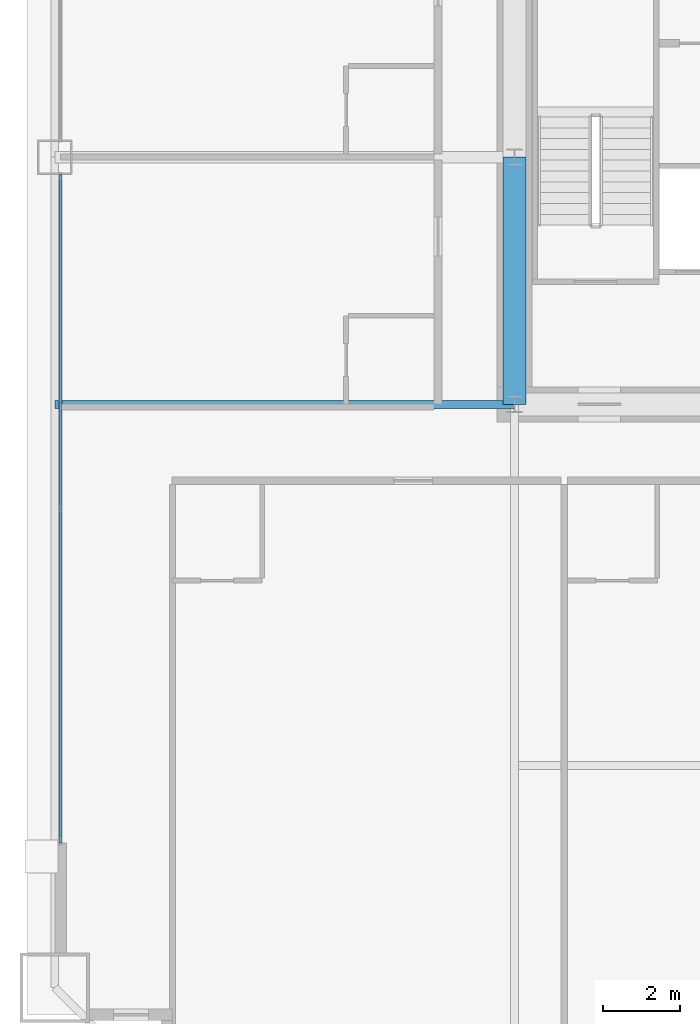
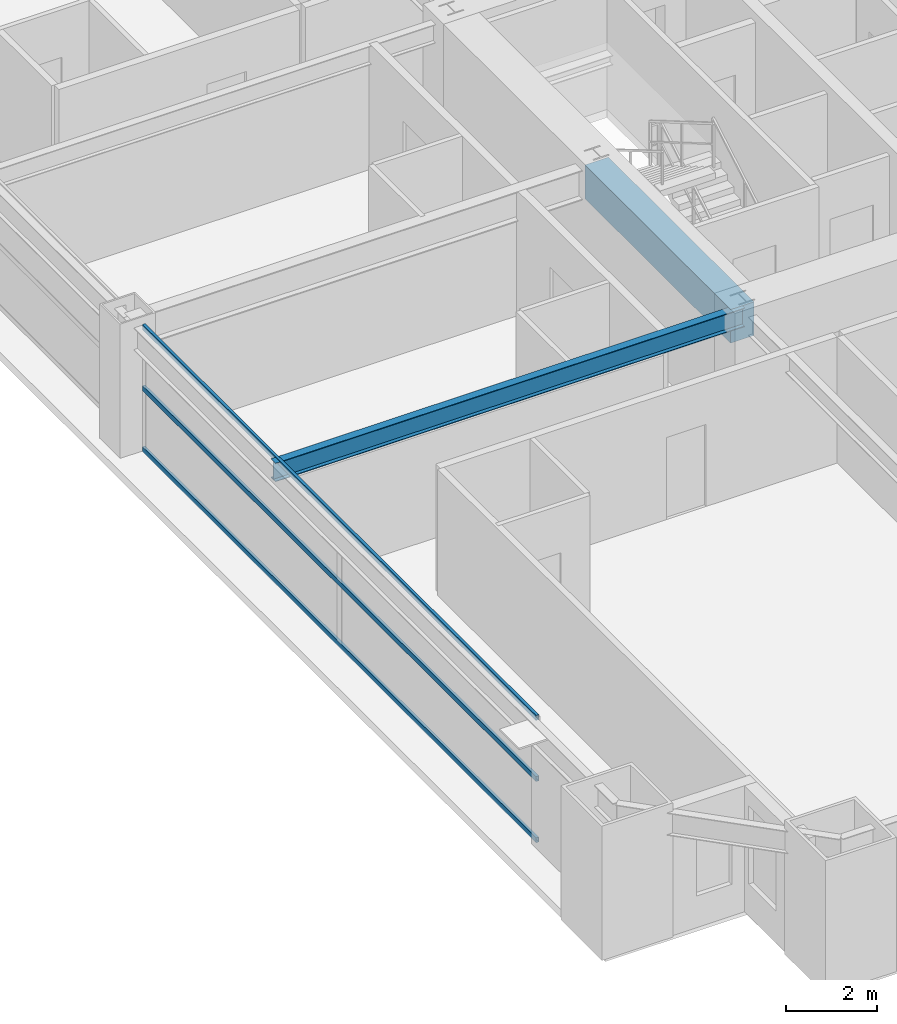
# One storey, part 11 of 45: 3 members, 2 beams, 1 element without a shape of its own.
"""IFC4 building model written with IfcOpenShell, lengths in metres."""

from ifc_helpers import new_model, si_unit, direction, frame, origin, origin_2d, place, context, subcontext, project, spatial, rectangle, hollow_rectangle, i_section, extrude, source, transform, mapped, material, layer, layer_set, material_profile, profile_set, type_object, element, aggregate, save


model = new_model("IFC4")

# Units and contexts
model_context = context("Model", 3, precision=1e-05, world=origin(), true_north=direction((0.0, 1.0)))
body_context = subcontext(model_context, "Body", "Model", "MODEL_VIEW")
ifc_project = project(units=[si_unit("LENGTHUNIT", "METRE"), si_unit("AREAUNIT", "SQUARE_METRE"), si_unit("VOLUMEUNIT", "CUBIC_METRE"), si_unit("PLANEANGLEUNIT", "RADIAN"), si_unit("MASSUNIT", "GRAM", prefix="KILO"), si_unit("THERMODYNAMICTEMPERATUREUNIT", "KELVIN"), si_unit("POWERUNIT", "WATT")], contexts=[model_context])

# Site, building, storey
site_placement = place(None, origin())
site = spatial("IfcSite", under=ifc_project, at=site_placement, CompositionType="ELEMENT")
building_placement = place(site_placement, origin())
building = spatial("IfcBuilding", under=site, at=building_placement, Name="Yuzanri Waterfront Tower", CompositionType="ELEMENT")
storey_placement = place(building_placement, frame((0.0, 0.0, 49.60009765625)))
storey = spatial("IfcBuildingStorey", under=building, at=storey_placement, Name="L12", CompositionType="ELEMENT", Elevation=49.60009765625)

# Beams
ifc_material_1 = material(Name="Concrete C60", Category="concrete")
ifc_material_profile_1 = material_profile(ifc_material_1, rectangle(XDim=0.60009765625, YDim=0.89990234375, at=origin_2d()), Name="RC 600x900")
ifc_profile_set_1 = profile_set([ifc_material_profile_1], Name="Concrete C60")
beam_type_1 = type_object("IfcBeamType", Name="Core Coupling Lintel Concrete C60 600x900", PredefinedType="LINTEL", material=ifc_profile_set_1)
shared_shape_1 = source(origin(), body_context, "Body", "SweptSolid", [
    extrude(rectangle(XDim=0.60009765625, YDim=0.89990234375, at=origin_2d()), origin(), (0.0, 0.0, 1.0), 6.400146484375),
])
beam_1_placement = place(storey_placement, frame((23.800048828125, 19.39990234375, 2.929931640625), z_axis=(0.0, 1.0, 0.0), x_axis=(-1.0, 0.0, 0.0)))
element("IfcBeam", 1, at=beam_1_placement, inside=storey, type_object=beam_type_1, Name="L12 Core Tie Beam CW1", PredefinedType="LINTEL", context=body_context, shape_type="MappedRepresentation", body=[
    mapped(shared_shape_1, transform((0.0, 0.0, 0.0), scale=1.0)),
])
ifc_material_2 = material(Name="Steel Q355B", Category="steel")
ifc_material_profile_2 = material_profile(ifc_material_2, i_section(OverallWidth=0.199951171875, OverallDepth=0.5, WebThickness=0.010009765625, FlangeThickness=0.01611328125, at=origin_2d()), Name="HN 500x200x10x16")
ifc_profile_set_2 = profile_set([ifc_material_profile_2], Name="Steel Q355B")
beam_type_2 = type_object("IfcBeamType", Name="Secondary Floor Beam Q355B HN 500x200", PredefinedType="BEAM", material=ifc_profile_set_2)
shared_shape_2 = source(origin(), body_context, "Body", "SweptSolid", [
    extrude(i_section(OverallWidth=0.199951171875, OverallDepth=0.5, WebThickness=0.010009765625, FlangeThickness=0.01611328125, at=origin_2d()), origin(), (0.0, 0.0, 1.0), 11.900146484375),
])
beam_2_placement = place(storey_placement, frame((23.800048828125, 19.39990234375, 3.1298828125), z_axis=(-1.0, 0.0, 0.0), x_axis=(0.0, -1.0, 0.0)))
element("IfcBeam", 2, at=beam_2_placement, inside=storey, type_object=beam_type_2, Name="L12 West-South Core Line Beam", PredefinedType="BEAM", context=body_context, shape_type="MappedRepresentation", body=[
    mapped(shared_shape_2, transform((0.0, 0.0, 0.0), scale=1.0)),
])

# Curtain wall, members
ifc_material_3 = material(Name="Anodized Architectural Bronze", Category="metal")
ifc_layer = layer(ifc_material_3, 0.159912109375)
ifc_layer_set = layer_set([ifc_layer], Name="Anodized Architectural Bronze")
curtain_wall_type = type_object("IfcCurtainWallType", Name="Anodized Bronze Hotel Lower-Tier Recessed Unitized Curtain Wall 8100", PredefinedType="NOTDEFINED", material=ifc_layer_set)
curtain_wall_placement = place(storey_placement, origin())
curtain_wall = element("IfcCurtainWall", 3, at=curtain_wall_placement, inside=storey, type_object=curtain_wall_type, Name="L12 Curtain Wall CW-L12-WL", PredefinedType="NOTDEFINED")
ifc_material_4 = material(Name="Anodized Architectural Bronze", Category="metal")
ifc_material_profile_3 = material_profile(ifc_material_4, hollow_rectangle(XDim=0.070068359375, YDim=0.135009765625, WallThickness=0.00341796875, at=origin_2d()), Name="CWT 70x135")
ifc_profile_set_3 = profile_set([ifc_material_profile_3], Name="Anodized Architectural Bronze")
member_type = type_object("IfcMemberType", Name="Anodized Bronze Standard Curtain-Wall Transom 70x135", PredefinedType="USERDEFINED", material=ifc_profile_set_3)
shared_shape_3 = source(origin(), body_context, "Body", "SweptSolid", [
    extrude(hollow_rectangle(XDim=0.070068359375, YDim=0.135009765625, WallThickness=0.00341796875, at=origin_2d()), origin(), (0.0, 0.0, 1.0), 17.300048828125),
])
member_1_placement = place(storey_placement, frame((12.050048828125, 8.050048828125, 0.0498046875), z_axis=(0.0, 1.0, 0.0), x_axis=(-1.0, 0.0, 0.0)))
member_1 = element("IfcMember", 4, at=member_1_placement, type_object=member_type, Name="CW-L12-WL Transom 1", ObjectType="TRANSOM", PredefinedType="USERDEFINED", context=body_context, shape_type="MappedRepresentation", body=[
    mapped(shared_shape_3, transform((0.0, 0.0, 0.0), scale=1.0)),
])
member_2_placement = place(storey_placement, frame((12.050048828125, 8.050048828125, 1.68994140625), z_axis=(0.0, 1.0, 0.0), x_axis=(-1.0, 0.0, 0.0)))
member_2 = element("IfcMember", 5, at=member_2_placement, type_object=member_type, Name="CW-L12-WL Transom 2", ObjectType="TRANSOM", PredefinedType="USERDEFINED", context=body_context, shape_type="MappedRepresentation", body=[
    mapped(shared_shape_3, transform((0.0, 0.0, 0.0), scale=1.0)),
])
member_3_placement = place(storey_placement, frame((12.050048828125, 8.050048828125, 3.329833984375), z_axis=(0.0, 1.0, 0.0), x_axis=(-1.0, 0.0, 0.0)))
member_3 = element("IfcMember", 6, at=member_3_placement, type_object=member_type, Name="CW-L12-WL Transom 3", ObjectType="TRANSOM", PredefinedType="USERDEFINED", context=body_context, shape_type="MappedRepresentation", body=[
    mapped(shared_shape_3, transform((0.0, 0.0, 0.0), scale=1.0)),
])
aggregate(curtain_wall, [member_1, member_2, member_3])

save(model, "model.ifc")
